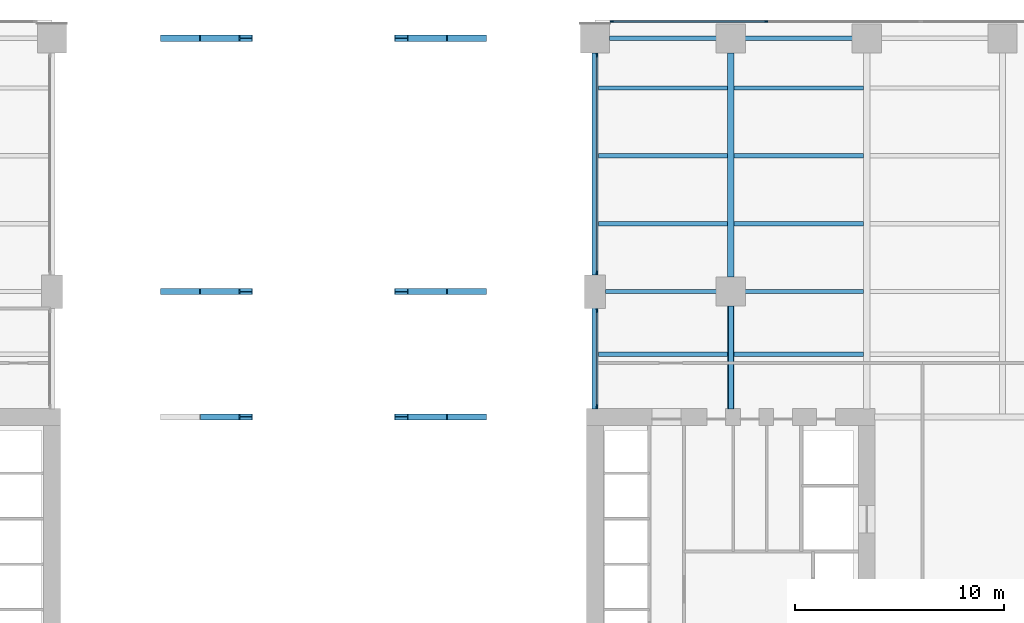
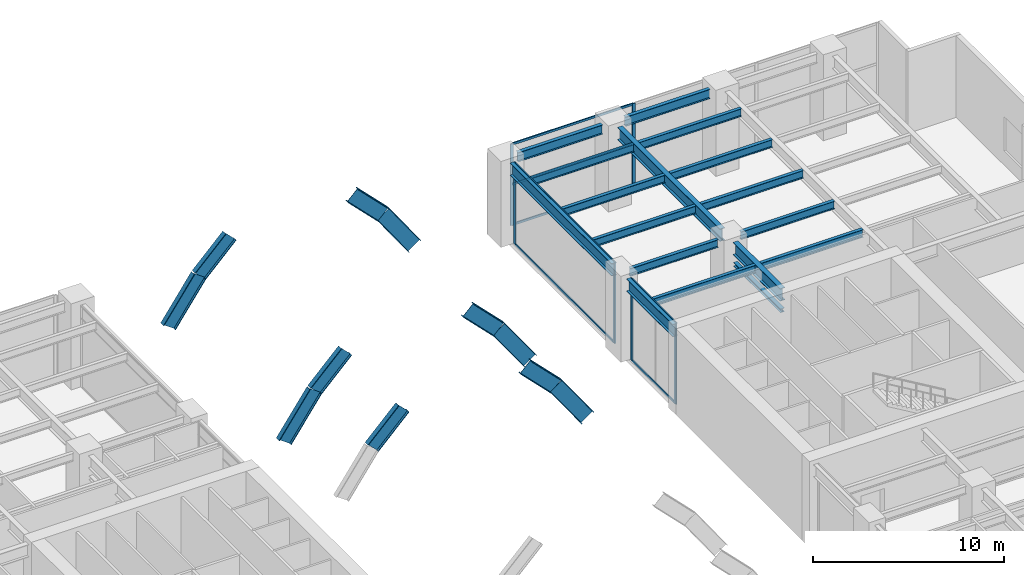
# One storey, part 6 of 18: 24 members, 17 beams, 3 elements without a shape of their own.
"""IFC4 building model written with IfcOpenShell, lengths in metres."""

from ifc_helpers import new_model, si_unit, direction, frame, origin, origin_2d, place, context, subcontext, project, spatial, rectangle, i_section, extrude, material, layer, layer_set, material_profile, profile_set, type_object, element, aggregate, save


model = new_model("IFC4")

# Units and contexts
model_context = context("Model", 3, precision=1e-05, world=origin(), true_north=direction((0.0, 1.0)))
body_context = subcontext(model_context, "Body", "Model", "MODEL_VIEW")
ifc_project = project(units=[si_unit("LENGTHUNIT", "METRE"), si_unit("AREAUNIT", "SQUARE_METRE"), si_unit("VOLUMEUNIT", "CUBIC_METRE"), si_unit("PLANEANGLEUNIT", "RADIAN"), si_unit("MASSUNIT", "GRAM", prefix="KILO")], contexts=[model_context])

# Site, building, storey
site_placement = place(None, origin())
site = spatial("IfcSite", under=ifc_project, at=site_placement, CompositionType="ELEMENT")
building_placement = place(site_placement, origin())
building = spatial("IfcBuilding", under=site, at=building_placement, Name="Putna Gate Headquarters", CompositionType="ELEMENT")
storey_placement = place(building_placement, frame((0.0, 0.0, 11.5)))
storey = spatial("IfcBuildingStorey", under=building, at=storey_placement, Name="L02", CompositionType="ELEMENT", Elevation=11.5)

# Beams
ifc_material_1 = material(Name="Steel S355J2", Category="steel")
ifc_material_profile_1 = material_profile(ifc_material_1, i_section(OverallWidth=0.300048828125, OverallDepth=0.800048828125, WebThickness=0.017578125, FlangeThickness=0.032958984375, at=origin_2d()), Name="Steel S355J2")
ifc_profile_set_1 = profile_set([ifc_material_profile_1], Name="Steel S355J2")
beam_type_1 = type_object("IfcBeamType", Name="BM-GIRD-P-HEB800", PredefinedType="USERDEFINED", material=ifc_profile_set_1)
beam_1_placement = place(storey_placement, frame((52.0, 33.385009765625, 4.820068359375), z_axis=(0.0, 1.0, 0.0), x_axis=(-1.0, 0.0, 0.0)))
element("IfcBeam", 1, at=beam_1_placement, inside=storey, type_object=beam_type_1, Name="L02 North Primary Girder X52-1", ObjectType="GIRDER", PredefinedType="USERDEFINED", context=body_context, shape_type="SweptSolid", body=[
    extrude(i_section(OverallWidth=0.300048828125, OverallDepth=0.800048828125, WebThickness=0.017578125, FlangeThickness=0.032958984375, at=origin_2d()), origin(), (0.0, 0.0, 1.0), 4.826904296875),
])
beam_2_placement = place(storey_placement, frame((52.0, 39.7880859375, 4.820068359375), z_axis=(0.0, 1.0, 0.0), x_axis=(-1.0, 0.0, 0.0)))
element("IfcBeam", 2, at=beam_2_placement, inside=storey, type_object=beam_type_1, Name="L02 North Primary Girder X52-2", ObjectType="GIRDER", PredefinedType="USERDEFINED", context=body_context, shape_type="SweptSolid", body=[
    extrude(i_section(OverallWidth=0.300048828125, OverallDepth=0.800048828125, WebThickness=0.017578125, FlangeThickness=0.032958984375, at=origin_2d()), origin(), (0.0, 0.0, 1.0), 10.643798828125),
])
beam_3_placement = place(storey_placement, frame((58.5, 33.385009765625, 4.820068359375), z_axis=(0.0, 1.0, 0.0), x_axis=(-1.0, 0.0, 0.0)))
element("IfcBeam", 3, at=beam_3_placement, inside=storey, type_object=beam_type_1, Name="L02 North Primary Girder X58-1", ObjectType="GIRDER", PredefinedType="USERDEFINED", context=body_context, shape_type="SweptSolid", body=[
    extrude(i_section(OverallWidth=0.300048828125, OverallDepth=0.800048828125, WebThickness=0.017578125, FlangeThickness=0.032958984375, at=origin_2d()), origin(), (0.0, 0.0, 1.0), 4.927001953125),
])
beam_4_placement = place(storey_placement, frame((58.5, 39.68798828125, 4.820068359375), z_axis=(0.0, 1.0, 0.0), x_axis=(-1.0, 0.0, 0.0)))
element("IfcBeam", 4, at=beam_4_placement, inside=storey, type_object=beam_type_1, Name="L02 North Primary Girder X58-2", ObjectType="GIRDER", PredefinedType="USERDEFINED", context=body_context, shape_type="SweptSolid", body=[
    extrude(i_section(OverallWidth=0.300048828125, OverallDepth=0.800048828125, WebThickness=0.017578125, FlangeThickness=0.032958984375, at=origin_2d()), origin(), (0.0, 0.0, 1.0), 10.743896484375),
])
ifc_material_profile_2 = material_profile(ifc_material_1, i_section(OverallWidth=0.239990234375, OverallDepth=0.239990234375, WebThickness=0.010009765625, FlangeThickness=0.01708984375, at=origin_2d()), Name="Steel S355J2")
ifc_profile_set_2 = profile_set([ifc_material_profile_2], Name="Steel S355J2")
beam_type_2 = type_object("IfcBeamType", Name="BM-LINTEL-HEB240", PredefinedType="LINTEL", material=ifc_profile_set_2)
beam_5_placement = place(storey_placement, frame((58.5, 33.3798828125, 3.800048828125), z_axis=(0.0, 1.0, 0.0), x_axis=(-1.0, 0.0, 0.0)))
element("IfcBeam", 5, at=beam_5_placement, inside=storey, type_object=beam_type_2, Name="L02 Core Spine Portal Header Lintel E", PredefinedType="LINTEL", context=body_context, shape_type="SweptSolid", body=[
    extrude(i_section(OverallWidth=0.239990234375, OverallDepth=0.239990234375, WebThickness=0.010009765625, FlangeThickness=0.01708984375, at=origin_2d()), origin(), (0.0, 0.0, 1.0), 4.940185546875),
])
ifc_material_profile_3 = material_profile(ifc_material_1, i_section(OverallWidth=0.199951171875, OverallDepth=0.5, WebThickness=0.01025390625, FlangeThickness=0.01611328125, at=origin_2d()), Name="Steel S355J2")
ifc_profile_set_3 = profile_set([ifc_material_profile_3], Name="Steel S355J2")
beam_type_3 = type_object("IfcBeamType", Name="BM-SEC-P-IPE500", PredefinedType="BEAM", material=ifc_profile_set_3)
beam_6_placement = place(storey_placement, frame((52.154052734375, 36.0, 4.969970703125), z_axis=(1.0, 0.0, 0.0), x_axis=(0.0, 1.0, 0.0)))
element("IfcBeam", 6, at=beam_6_placement, inside=storey, type_object=beam_type_3, Name="L02 North Secondary Beam 5", PredefinedType="BEAM", context=body_context, shape_type="SweptSolid", body=[
    extrude(i_section(OverallWidth=0.199951171875, OverallDepth=0.5, WebThickness=0.01025390625, FlangeThickness=0.01611328125, at=origin_2d()), origin(), (0.0, 0.0, 1.0), 6.19189453125),
])
beam_7_placement = place(storey_placement, frame((52.488037109375, 39.0, 4.969970703125), z_axis=(1.0, 0.0, 0.0), x_axis=(0.0, 1.0, 0.0)))
element("IfcBeam", 7, at=beam_7_placement, inside=storey, type_object=beam_type_3, Name="L02 North Secondary Beam 5", PredefinedType="BEAM", context=body_context, shape_type="SweptSolid", body=[
    extrude(i_section(OverallWidth=0.199951171875, OverallDepth=0.5, WebThickness=0.01025390625, FlangeThickness=0.01611328125, at=origin_2d()), origin(), (0.0, 0.0, 1.0), 5.323974609375),
])
for number, where, z_axis, x_axis, name in (
    (8, (52.154052734375, 42.25, 4.969970703125), (1.0, 0.0, 0.0), (0.0, 1.0, 0.0), "L02 North Secondary Beam 5"),
    (9, (52.154052734375, 45.5, 4.969970703125), (1.0, 0.0, 0.0), (0.0, 1.0, 0.0), "L02 North Secondary Beam 5"),
    (10, (52.154052734375, 48.75, 4.969970703125), (1.0, 0.0, 0.0), (0.0, 1.0, 0.0), "L02 North Secondary Beam 5"),
    (11, (58.654052734375, 36.0, 4.969970703125), (1.0, 0.0, 0.0), (0.0, 1.0, 0.0), "L02 North Secondary Beam 6"),
):
    element("IfcBeam", number, at=place(storey_placement, frame(where, z_axis=z_axis, x_axis=x_axis)), inside=storey, type_object=beam_type_3, Name=name, PredefinedType="BEAM", context=body_context, shape_type="SweptSolid", body=[
        extrude(i_section(OverallWidth=0.199951171875, OverallDepth=0.5, WebThickness=0.01025390625, FlangeThickness=0.01611328125, at=origin_2d()), origin(), (0.0, 0.0, 1.0), 6.19189453125),
    ])
beam_8_placement = place(storey_placement, frame((59.18798828125, 39.0, 4.969970703125), z_axis=(1.0, 0.0, 0.0), x_axis=(0.0, 1.0, 0.0)))
element("IfcBeam", 12, at=beam_8_placement, inside=storey, type_object=beam_type_3, Name="L02 North Secondary Beam 6", PredefinedType="BEAM", context=body_context, shape_type="SweptSolid", body=[
    extrude(i_section(OverallWidth=0.199951171875, OverallDepth=0.5, WebThickness=0.01025390625, FlangeThickness=0.01611328125, at=origin_2d()), origin(), (0.0, 0.0, 1.0), 5.657958984375),
])
for number, where, z_axis, x_axis, name in (
    (13, (58.654052734375, 42.25, 4.969970703125), (1.0, 0.0, 0.0), (0.0, 1.0, 0.0), "L02 North Secondary Beam 6"),
    (14, (58.654052734375, 45.5, 4.969970703125), (1.0, 0.0, 0.0), (0.0, 1.0, 0.0), "L02 North Secondary Beam 6"),
    (15, (58.654052734375, 48.75, 4.969970703125), (1.0, 0.0, 0.0), (0.0, 1.0, 0.0), "L02 North Secondary Beam 6"),
):
    element("IfcBeam", number, at=place(storey_placement, frame(where, z_axis=z_axis, x_axis=x_axis)), inside=storey, type_object=beam_type_3, Name=name, PredefinedType="BEAM", context=body_context, shape_type="SweptSolid", body=[
        extrude(i_section(OverallWidth=0.199951171875, OverallDepth=0.5, WebThickness=0.01025390625, FlangeThickness=0.01611328125, at=origin_2d()), origin(), (0.0, 0.0, 1.0), 6.19189453125),
    ])
ifc_material_profile_4 = material_profile(ifc_material_1, i_section(OverallWidth=0.219970703125, OverallDepth=0.60009765625, WebThickness=0.011962890625, FlangeThickness=0.01904296875, at=origin_2d()), Name="Steel S355J2")
ifc_profile_set_4 = profile_set([ifc_material_profile_4], Name="Steel S355J2")
beam_type_4 = type_object("IfcBeamType", Name="BM-SPAN-P-IPE600", PredefinedType="SPANDREL", material=ifc_profile_set_4)
for number, where, z_axis, x_axis, name in (
    (16, (52.68798828125, 51.1201171875, 4.919921875), (1.0, 0.0, 0.0), (0.0, 1.0, 0.0), "L02 N Perimeter Spandrel 5"),
    (17, (59.18798828125, 51.1201171875, 4.919921875), (1.0, 0.0, 0.0), (0.0, 1.0, 0.0), "L02 N Perimeter Spandrel 6"),
):
    element("IfcBeam", number, at=place(storey_placement, frame(where, z_axis=z_axis, x_axis=x_axis)), inside=storey, type_object=beam_type_4, Name=name, PredefinedType="SPANDREL", context=body_context, shape_type="SweptSolid", body=[
        extrude(i_section(OverallWidth=0.219970703125, OverallDepth=0.60009765625, WebThickness=0.011962890625, FlangeThickness=0.01904296875, at=origin_2d()), origin(), (0.0, 0.0, 1.0), 5.1240234375),
    ])

# Members
ifc_material_2 = material(Name="Steel S460M", Category="steel")
ifc_material_profile_5 = material_profile(ifc_material_2, i_section(OverallWidth=0.302001953125, OverallDepth=0.909912109375, WebThickness=0.02099609375, FlangeThickness=0.0400390625, at=origin_2d()), Name="Steel S460M")
ifc_profile_set_5 = profile_set([ifc_material_profile_5], Name="Steel S460M")
member_type_1 = type_object("IfcMemberType", Name="MEM-ARCH-CHORD-HEM900", PredefinedType="STRUT", material=ifc_profile_set_5)
member_1_placement = place(storey_placement, frame((31.5712890625, 51.1201171875, 1.44189453125), z_axis=(0.577111975732, 0.0, 0.816665027699), x_axis=(0.0, 1.0, 0.0)))
element("IfcMember", 18, at=member_1_placement, inside=storey, type_object=member_type_1, Name="Giant Parabolic Arch Chord N-4", PredefinedType="STRUT", context=body_context, shape_type="SweptSolid", body=[
    extrude(i_section(OverallWidth=0.302001953125, OverallDepth=0.909912109375, WebThickness=0.02099609375, FlangeThickness=0.0400390625, at=origin_2d()), origin(), (0.0, 0.0, 1.0), 3.218505859375),
])
for number, where, z_axis, x_axis, name in (
    (19, (33.4287109375, 51.1201171875, 4.0703125), (0.703166784248, 0.0, 0.711024945786), (0.0, 1.0, 0.0), "Giant Parabolic Arch Chord N-5"),
    (20, (42.71435546875, 51.1201171875, 5.947998046875), (0.703166784248, 0.0, -0.711024945786), (0.0, 1.0, 0.0), "Giant Parabolic Arch Chord N-10"),
):
    element("IfcMember", number, at=place(storey_placement, frame(where, z_axis=z_axis, x_axis=x_axis)), inside=storey, type_object=member_type_1, Name=name, PredefinedType="STRUT", context=body_context, shape_type="SweptSolid", body=[
        extrude(i_section(OverallWidth=0.302001953125, OverallDepth=0.909912109375, WebThickness=0.02099609375, FlangeThickness=0.0400390625, at=origin_2d()), origin(), (0.0, 0.0, 1.0), 2.640869140625),
    ])
member_2_placement = place(storey_placement, frame((44.5712890625, 51.1201171875, 4.0703125), z_axis=(0.577111975732, 0.0, -0.816665027699), x_axis=(0.0, 1.0, 0.0)))
element("IfcMember", 21, at=member_2_placement, inside=storey, type_object=member_type_1, Name="Giant Parabolic Arch Chord N-11", PredefinedType="STRUT", context=body_context, shape_type="SweptSolid", body=[
    extrude(i_section(OverallWidth=0.302001953125, OverallDepth=0.909912109375, WebThickness=0.02099609375, FlangeThickness=0.0400390625, at=origin_2d()), origin(), (0.0, 0.0, 1.0), 3.218505859375),
])
ifc_material_profile_6 = material_profile(ifc_material_2, i_section(OverallWidth=0.302001953125, OverallDepth=0.909912109375, WebThickness=0.02099609375, FlangeThickness=0.0400390625, at=origin_2d()), Name="Steel S460M")
ifc_profile_set_6 = profile_set([ifc_material_profile_6], Name="Steel S460M")
member_type_2 = type_object("IfcMemberType", Name="MEM-ARCH-CHORD-INT-HEM900", PredefinedType="STRUT", material=ifc_profile_set_6)
for number, where, z_axis, x_axis, name in (
    (22, (33.4287109375, 33.0, 4.0703125), (0.703166784248, 0.0, 0.711024945786), (0.0, 1.0, 0.0), "Giant Parabolic Arch Chord AN-5"),
    (23, (42.71435546875, 33.0, 5.947998046875), (0.703166784248, 0.0, -0.711024945786), (0.0, 1.0, 0.0), "Giant Parabolic Arch Chord AN-10"),
):
    element("IfcMember", number, at=place(storey_placement, frame(where, z_axis=z_axis, x_axis=x_axis)), inside=storey, type_object=member_type_2, Name=name, PredefinedType="STRUT", context=body_context, shape_type="SweptSolid", body=[
        extrude(i_section(OverallWidth=0.302001953125, OverallDepth=0.909912109375, WebThickness=0.02099609375, FlangeThickness=0.0400390625, at=origin_2d()), origin(), (0.0, 0.0, 1.0), 2.640869140625),
    ])
for number, where, z_axis, x_axis, name in (
    (24, (44.5712890625, 33.0, 4.0703125), (0.577111975732, 0.0, -0.816665027699), (0.0, 1.0, 0.0), "Giant Parabolic Arch Chord AN-11"),
    (25, (31.5712890625, 39.0, 1.44189453125), (0.577111975732, 0.0, 0.816665027699), (0.0, 1.0, 0.0), "Giant Parabolic Arch Chord CN-4"),
):
    element("IfcMember", number, at=place(storey_placement, frame(where, z_axis=z_axis, x_axis=x_axis)), inside=storey, type_object=member_type_2, Name=name, PredefinedType="STRUT", context=body_context, shape_type="SweptSolid", body=[
        extrude(i_section(OverallWidth=0.302001953125, OverallDepth=0.909912109375, WebThickness=0.02099609375, FlangeThickness=0.0400390625, at=origin_2d()), origin(), (0.0, 0.0, 1.0), 3.218505859375),
    ])
for number, where, z_axis, x_axis, name in (
    (26, (33.4287109375, 39.0, 4.0703125), (0.703166784248, 0.0, 0.711024945786), (0.0, 1.0, 0.0), "Giant Parabolic Arch Chord CN-5"),
    (27, (42.71435546875, 39.0, 5.947998046875), (0.703166784248, 0.0, -0.711024945786), (0.0, 1.0, 0.0), "Giant Parabolic Arch Chord CN-10"),
):
    element("IfcMember", number, at=place(storey_placement, frame(where, z_axis=z_axis, x_axis=x_axis)), inside=storey, type_object=member_type_2, Name=name, PredefinedType="STRUT", context=body_context, shape_type="SweptSolid", body=[
        extrude(i_section(OverallWidth=0.302001953125, OverallDepth=0.909912109375, WebThickness=0.02099609375, FlangeThickness=0.0400390625, at=origin_2d()), origin(), (0.0, 0.0, 1.0), 2.640869140625),
    ])
member_3_placement = place(storey_placement, frame((44.5712890625, 39.0, 4.0703125), z_axis=(0.577111975732, 0.0, -0.816665027699), x_axis=(0.0, 1.0, 0.0)))
element("IfcMember", 28, at=member_3_placement, inside=storey, type_object=member_type_2, Name="Giant Parabolic Arch Chord CN-11", PredefinedType="STRUT", context=body_context, shape_type="SweptSolid", body=[
    extrude(i_section(OverallWidth=0.302001953125, OverallDepth=0.909912109375, WebThickness=0.02099609375, FlangeThickness=0.0400390625, at=origin_2d()), origin(), (0.0, 0.0, 1.0), 3.218505859375),
])

# Curtain wall, members
ifc_material_3 = material(Name="Anodised bronze aluminium curtain wall", Category="aluminium")
ifc_layer_1 = layer(ifc_material_3, 0.179931640625)
ifc_layer_set_1 = layer_set([ifc_layer_1], Name="Anodised bronze aluminium curtain wall")
curtain_wall_type_1 = type_object("IfcCurtainWallType", Name="CW-SYS-ATR", PredefinedType="USERDEFINED", material=ifc_layer_set_1)
curtain_wall_1_placement = place(storey_placement, origin())
curtain_wall_1 = element("IfcCurtainWall", 29, at=curtain_wall_1_placement, inside=storey, type_object=curtain_wall_type_1, Name="L02 Arch Flank Glazing E-N1", ObjectType="ATRIUM GLAZING", PredefinedType="USERDEFINED")
ifc_material_4 = material(Name="Anodised bronze aluminium EN AW-6060", Category="aluminium")
ifc_material_profile_7 = material_profile(ifc_material_4, rectangle(XDim=0.070068359375, YDim=0.179931640625, at=origin_2d()), Name="Anodised bronze aluminium EN AW-6060")
ifc_profile_set_7 = profile_set([ifc_material_profile_7], Name="Anodised bronze aluminium EN AW-6060")
member_type_3 = type_object("IfcMemberType", Name="MULL-CWM-AT", PredefinedType="MULLION", material=ifc_profile_set_7)
member_4_placement = place(storey_placement, frame((52.10009765625, 33.514892578125, 0.0), z_axis=(0.0, 0.0, 1.0), x_axis=(-1.0, 0.0, 0.0)))
member_4 = element("IfcMember", 30, at=member_4_placement, type_object=member_type_3, Name="CWS-AT mullion 1", PredefinedType="MULLION", context=body_context, shape_type="SweptSolid", body=[
    extrude(rectangle(XDim=0.070068359375, YDim=0.179931640625, at=origin_2d()), origin(), (0.0, 0.0, 1.0), 5.219970703125),
])
member_5_placement = place(storey_placement, frame((52.10009765625, 38.0849609375, 0.0), z_axis=(0.0, 0.0, 1.0), x_axis=(-1.0, 0.0, 0.0)))
member_5 = element("IfcMember", 31, at=member_5_placement, type_object=member_type_3, Name="CWS-AT mullion 2", PredefinedType="MULLION", context=body_context, shape_type="SweptSolid", body=[
    extrude(rectangle(XDim=0.070068359375, YDim=0.179931640625, at=origin_2d()), origin(), (0.0, 0.0, 1.0), 5.219970703125),
])

curtain_wall_2_placement = place(storey_placement, origin())
curtain_wall_2 = element("IfcCurtainWall", 32, at=curtain_wall_2_placement, inside=storey, type_object=curtain_wall_type_1, Name="L02 Arch Flank Glazing E-N2", ObjectType="ATRIUM GLAZING", PredefinedType="USERDEFINED")
member_6_placement = place(storey_placement, frame((52.10009765625, 39.9150390625, 0.0), z_axis=(0.0, 0.0, 1.0), x_axis=(-1.0, 0.0, 0.0)))
member_6 = element("IfcMember", 33, at=member_6_placement, type_object=member_type_3, Name="CWS-AT mullion 1", PredefinedType="MULLION", context=body_context, shape_type="SweptSolid", body=[
    extrude(rectangle(XDim=0.070068359375, YDim=0.179931640625, at=origin_2d()), origin(), (0.0, 0.0, 1.0), 5.219970703125),
])
member_7_placement = place(storey_placement, frame((52.10009765625, 50.31494140625, 0.0), z_axis=(0.0, 0.0, 1.0), x_axis=(-1.0, 0.0, 0.0)))
member_7 = element("IfcMember", 34, at=member_7_placement, type_object=member_type_3, Name="CWS-AT mullion 2", PredefinedType="MULLION", context=body_context, shape_type="SweptSolid", body=[
    extrude(rectangle(XDim=0.070068359375, YDim=0.179931640625, at=origin_2d()), origin(), (0.0, 0.0, 1.0), 5.219970703125),
])

ifc_layer_2 = layer(ifc_material_3, 0.179931640625)
ifc_layer_set_2 = layer_set([ifc_layer_2], Name="Anodised bronze aluminium curtain wall")
curtain_wall_type_2 = type_object("IfcCurtainWallType", Name="CW-SYS-POD", PredefinedType="USERDEFINED", material=ifc_layer_set_2)
curtain_wall_3_placement = place(storey_placement, origin())
curtain_wall_3 = element("IfcCurtainWall", 35, at=curtain_wall_3_placement, inside=storey, type_object=curtain_wall_type_2, Name="L02 North East Curtain Wall", ObjectType="STICK CURTAIN WALL", PredefinedType="USERDEFINED")
ifc_material_profile_8 = material_profile(ifc_material_4, rectangle(XDim=0.070068359375, YDim=0.179931640625, at=origin_2d()), Name="Anodised bronze aluminium EN AW-6060")
ifc_profile_set_8 = profile_set([ifc_material_profile_8], Name="Anodised bronze aluminium EN AW-6060")
member_type_4 = type_object("IfcMemberType", Name="MULL-CWM-P", PredefinedType="MULLION", material=ifc_profile_set_8)
member_8_placement = place(storey_placement, frame((52.81494140625, 51.919921875, 0.0), z_axis=(0.0, 0.0, 1.0), x_axis=(0.0, 1.0, 0.0)))
member_8 = element("IfcMember", 36, at=member_8_placement, type_object=member_type_4, Name="CWS-P mullion 1", PredefinedType="MULLION", context=body_context, shape_type="SweptSolid", body=[
    extrude(rectangle(XDim=0.070068359375, YDim=0.179931640625, at=origin_2d()), origin(), (0.0, 0.0, 1.0), 5.219970703125),
])
member_9_placement = place(storey_placement, frame((60.186767578125, 51.919921875, 0.0), z_axis=(0.0, 0.0, 1.0), x_axis=(0.0, 1.0, 0.0)))
member_9 = element("IfcMember", 37, at=member_9_placement, type_object=member_type_4, Name="CWS-P mullion 2", PredefinedType="MULLION", context=body_context, shape_type="SweptSolid", body=[
    extrude(rectangle(XDim=0.070068359375, YDim=0.179931640625, at=origin_2d()), origin(), (0.0, 0.0, 1.0), 5.219970703125),
])

# Member
ifc_material_profile_9 = material_profile(ifc_material_4, rectangle(XDim=0.070068359375, YDim=0.139892578125, at=origin_2d()), Name="Anodised bronze aluminium EN AW-6060")
ifc_profile_set_9 = profile_set([ifc_material_profile_9], Name="Anodised bronze aluminium EN AW-6060")
member_type_5 = type_object("IfcMemberType", Name="TRAN-CWT-AT", PredefinedType="USERDEFINED", material=ifc_profile_set_9)
member_10_placement = place(storey_placement, frame((52.10009765625, 33.550048828125, 0.034912109375), z_axis=(0.0, 1.0, 0.0), x_axis=(-1.0, 0.0, 0.0)))
member_10 = element("IfcMember", 38, at=member_10_placement, type_object=member_type_5, Name="CWS-AT transom 1.1", ObjectType="TRANSOM", PredefinedType="USERDEFINED", context=body_context, shape_type="SweptSolid", body=[
    extrude(rectangle(XDim=0.070068359375, YDim=0.139892578125, at=origin_2d()), origin(), (0.0, 0.0, 1.0), 4.5),
])

member_11_placement = place(storey_placement, frame((52.10009765625, 33.550048828125, 5.18505859375), z_axis=(0.0, 1.0, 0.0), x_axis=(-1.0, 0.0, 0.0)))
member_11 = element("IfcMember", 39, at=member_11_placement, type_object=member_type_5, Name="CWS-AT transom 1.2", ObjectType="TRANSOM", PredefinedType="USERDEFINED", context=body_context, shape_type="SweptSolid", body=[
    extrude(rectangle(XDim=0.070068359375, YDim=0.139892578125, at=origin_2d()), origin(), (0.0, 0.0, 1.0), 4.5),
])

aggregate(curtain_wall_1, [member_4, member_5, member_10, member_11])

member_12_placement = place(storey_placement, frame((52.10009765625, 39.949951171875, 0.034912109375), z_axis=(0.0, 1.0, 0.0), x_axis=(-1.0, 0.0, 0.0)))
member_12 = element("IfcMember", 40, at=member_12_placement, type_object=member_type_5, Name="CWS-AT transom 1.1", ObjectType="TRANSOM", PredefinedType="USERDEFINED", context=body_context, shape_type="SweptSolid", body=[
    extrude(rectangle(XDim=0.070068359375, YDim=0.139892578125, at=origin_2d()), origin(), (0.0, 0.0, 1.0), 10.330078125),
])

member_13_placement = place(storey_placement, frame((52.10009765625, 39.949951171875, 5.18505859375), z_axis=(0.0, 1.0, 0.0), x_axis=(-1.0, 0.0, 0.0)))
member_13 = element("IfcMember", 41, at=member_13_placement, type_object=member_type_5, Name="CWS-AT transom 1.2", ObjectType="TRANSOM", PredefinedType="USERDEFINED", context=body_context, shape_type="SweptSolid", body=[
    extrude(rectangle(XDim=0.070068359375, YDim=0.139892578125, at=origin_2d()), origin(), (0.0, 0.0, 1.0), 10.330078125),
])

aggregate(curtain_wall_2, [member_6, member_7, member_12, member_13])

ifc_material_profile_10 = material_profile(ifc_material_4, rectangle(XDim=0.070068359375, YDim=0.139892578125, at=origin_2d()), Name="Anodised bronze aluminium EN AW-6060")
ifc_profile_set_10 = profile_set([ifc_material_profile_10], Name="Anodised bronze aluminium EN AW-6060")
member_type_6 = type_object("IfcMemberType", Name="TRAN-CWT-P", PredefinedType="USERDEFINED", material=ifc_profile_set_10)
member_14_placement = place(storey_placement, frame((52.85009765625, 51.919921875, 0.034912109375), z_axis=(1.0, 0.0, 0.0), x_axis=(0.0, 1.0, 0.0)))
member_14 = element("IfcMember", 42, at=member_14_placement, type_object=member_type_6, Name="CWS-P transom 1.1", ObjectType="TRANSOM", PredefinedType="USERDEFINED", context=body_context, shape_type="SweptSolid", body=[
    extrude(rectangle(XDim=0.070068359375, YDim=0.139892578125, at=origin_2d()), origin(), (0.0, 0.0, 1.0), 7.301513671875),
])

member_15_placement = place(storey_placement, frame((52.85009765625, 51.919921875, 2.610107421875), z_axis=(1.0, 0.0, 0.0), x_axis=(0.0, 1.0, 0.0)))
member_15 = element("IfcMember", 43, at=member_15_placement, type_object=member_type_6, Name="CWS-P transom 1.2", ObjectType="TRANSOM", PredefinedType="USERDEFINED", context=body_context, shape_type="SweptSolid", body=[
    extrude(rectangle(XDim=0.070068359375, YDim=0.139892578125, at=origin_2d()), origin(), (0.0, 0.0, 1.0), 7.301513671875),
])

member_16_placement = place(storey_placement, frame((52.85009765625, 51.919921875, 5.18505859375), z_axis=(1.0, 0.0, 0.0), x_axis=(0.0, 1.0, 0.0)))
member_16 = element("IfcMember", 44, at=member_16_placement, type_object=member_type_6, Name="CWS-P transom 1.3", ObjectType="TRANSOM", PredefinedType="USERDEFINED", context=body_context, shape_type="SweptSolid", body=[
    extrude(rectangle(XDim=0.070068359375, YDim=0.139892578125, at=origin_2d()), origin(), (0.0, 0.0, 1.0), 7.301513671875),
])

aggregate(curtain_wall_3, [member_8, member_9, member_14, member_15, member_16])

save(model, "model.ifc")
